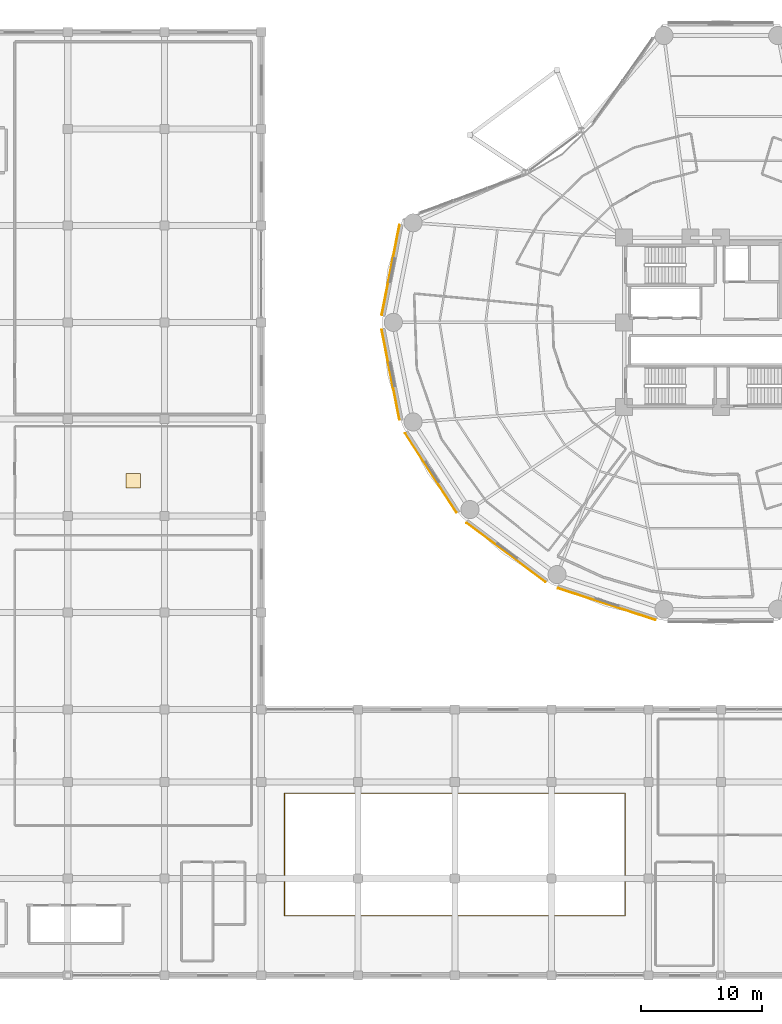
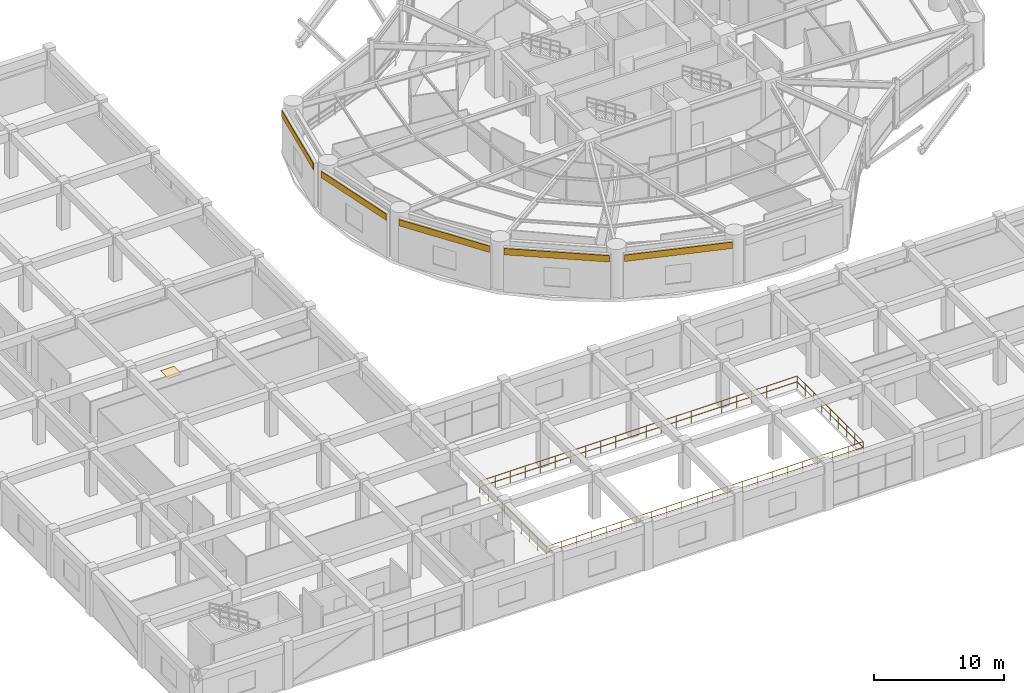
# One storey, part 49 of 55: 6 coverings, 1 railing.
"""IFC4 building model written with IfcOpenShell, lengths in metres."""

from ifc_helpers import new_model, si_unit, direction, frame, origin, origin_2d, place, context, subcontext, project, spatial, polyline, rectangle, outline, extrude, source, transform, mapped, material, layer, layer_set, type_object, element, save


model = new_model("IFC4")

# Units and contexts
model_context = context("Model", 3, precision=1e-05, world=origin(), true_north=direction((0.0, 1.0)))
body_context = subcontext(model_context, "Body", "Model", "MODEL_VIEW")
ifc_project = project(units=[si_unit("LENGTHUNIT", "METRE"), si_unit("AREAUNIT", "SQUARE_METRE"), si_unit("VOLUMEUNIT", "CUBIC_METRE"), si_unit("PLANEANGLEUNIT", "RADIAN"), si_unit("MASSUNIT", "GRAM", prefix="KILO")], contexts=[model_context])

# Site, building, storey
site_placement = place(None, origin())
site = spatial("IfcSite", under=ifc_project, at=site_placement, CompositionType="ELEMENT")
building_placement = place(site_placement, origin())
building = spatial("IfcBuilding", under=site, at=building_placement, Name="Kelanora Arch Commons", CompositionType="ELEMENT")
storey_placement = place(building_placement, frame((0.0, 0.0, 4.5)))
storey = spatial("IfcBuildingStorey", under=building, at=storey_placement, Name="L01", CompositionType="ELEMENT", Elevation=4.5)

# Railing
ifc_material_1 = material(Name="Laminated glass and stainless steel balustrade", Category="steel")
railing_type = type_object("IfcRailingType", Name="RAIL-BAL-112", PredefinedType="BALUSTRADE", material=ifc_material_1)
railing_placement = place(storey_placement, frame((37.919921875, 8.919921875, 0.0)))
element("IfcRailing", 1, at=railing_placement, inside=storey, type_object=railing_type, Name="Market Hall L01 Atrium Void Guard", PredefinedType="BALUSTRADE", context=body_context, shape_type="SweptSolid", body=[
    extrude(outline(polyline([(0.02392578125, 0.0), (0.011962890625, 0.020751953125), (-0.011962890625, 0.020751953125), (-0.02392578125, 0.0), (-0.011962890625, -0.020751953125), (0.011962890625, -0.020751953125), (0.02392578125, 0.0)])), frame((0.0, 0.0, 1.09619140625), z_axis=(1.0, 0.0, 0.0), x_axis=(0.0, 1.0, 0.0)), (0.0, 0.0, 1.0), 28.16015625),
    extrude(outline(polyline([(0.02392578125, 0.0), (0.011962890625, 0.020751953125), (-0.011962890625, 0.020751953125), (-0.02392578125, 0.0), (-0.011962890625, -0.020751953125), (0.011962890625, -0.020751953125), (0.02392578125, 0.0)])), frame((0.0, 0.0, 0.56005859375), z_axis=(1.0, 0.0, 0.0), x_axis=(0.0, 1.0, 0.0)), (0.0, 0.0, 1.0), 28.16015625),
    extrude(outline(polyline([(0.02392578125, 0.0), (0.011962890625, 0.020751953125), (-0.011962890625, 0.020751953125), (-0.02392578125, 0.0), (-0.011962890625, -0.020751953125), (0.011962890625, -0.020751953125), (0.02392578125, 0.0)])), frame((28.16015625, 0.0, 1.09619140625), z_axis=(0.0, 1.0, 0.0), x_axis=(-1.0, 0.0, 0.0)), (0.0, 0.0, 1.0), 10.16015625),
    extrude(outline(polyline([(0.02392578125, 0.0), (0.011962890625, 0.020751953125), (-0.011962890625, 0.020751953125), (-0.02392578125, 0.0), (-0.011962890625, -0.020751953125), (0.011962890625, -0.020751953125), (0.02392578125, 0.0)])), frame((28.16015625, 0.0, 0.56005859375), z_axis=(0.0, 1.0, 0.0), x_axis=(-1.0, 0.0, 0.0)), (0.0, 0.0, 1.0), 10.16015625),
    extrude(outline(polyline([(0.02392578125, 0.0), (0.011962890625, 0.020751953125), (-0.011962890625, 0.020751953125), (-0.02392578125, 0.0), (-0.011962890625, -0.020751953125), (0.011962890625, -0.020751953125), (0.02392578125, 0.0)])), frame((28.16015625, 10.16015625, 1.09619140625), z_axis=(-1.0, 0.0, 0.0), x_axis=(0.0, -1.0, 0.0)), (0.0, 0.0, 1.0), 28.16015625),
    extrude(outline(polyline([(0.02392578125, 0.0), (0.011962890625, 0.020751953125), (-0.011962890625, 0.020751953125), (-0.02392578125, 0.0), (-0.011962890625, -0.020751953125), (0.011962890625, -0.020751953125), (0.02392578125, 0.0)])), frame((28.16015625, 10.16015625, 0.56005859375), z_axis=(-1.0, 0.0, 0.0), x_axis=(0.0, -1.0, 0.0)), (0.0, 0.0, 1.0), 28.16015625),
    extrude(outline(polyline([(0.02392578125, 0.0), (0.011962890625, 0.020751953125), (-0.011962890625, 0.020751953125), (-0.02392578125, 0.0), (-0.011962890625, -0.020751953125), (0.011962890625, -0.020751953125), (0.02392578125, 0.0)])), frame((0.0, 10.16015625, 1.09619140625), z_axis=(0.0, -1.0, 0.0), x_axis=(1.0, 0.0, 0.0)), (0.0, 0.0, 1.0), 10.16015625),
    extrude(outline(polyline([(0.02392578125, 0.0), (0.011962890625, 0.020751953125), (-0.011962890625, 0.020751953125), (-0.02392578125, 0.0), (-0.011962890625, -0.020751953125), (0.011962890625, -0.020751953125), (0.02392578125, 0.0)])), frame((0.0, 10.16015625, 0.56005859375), z_axis=(0.0, -1.0, 0.0), x_axis=(1.0, 0.0, 0.0)), (0.0, 0.0, 1.0), 10.16015625),
    extrude(outline(polyline([(0.02099609375, 0.0), (0.010498046875, 0.01806640625), (-0.010498046875, 0.01806640625), (-0.02099609375, 0.0), (-0.010498046875, -0.01806640625), (0.010498046875, -0.01806640625), (0.02099609375, 0.0)])), origin(), (0.0, 0.0, 1.0), 1.072021484375),
    extrude(outline(polyline([(0.02099609375, 0.0), (0.010498046875, 0.01806640625), (-0.010498046875, 0.01806640625), (-0.02099609375, 0.0), (-0.010498046875, -0.01806640625), (0.010498046875, -0.01806640625), (0.02099609375, 0.0)])), frame((1.341064453125, 0.0, 0.0)), (0.0, 0.0, 1.0), 1.072021484375),
    extrude(outline(polyline([(0.02099609375, 0.0), (0.010498046875, 0.01806640625), (-0.010498046875, 0.01806640625), (-0.02099609375, 0.0), (-0.010498046875, -0.01806640625), (0.010498046875, -0.01806640625), (0.02099609375, 0.0)])), frame((2.681884765625, 0.0, 0.0)), (0.0, 0.0, 1.0), 1.072021484375),
    extrude(outline(polyline([(0.02099609375, 0.0), (0.010498046875, 0.01806640625), (-0.010498046875, 0.01806640625), (-0.02099609375, 0.0), (-0.010498046875, -0.01806640625), (0.010498046875, -0.01806640625), (0.02099609375, 0.0)])), frame((4.02294921875, 0.0, 0.0)), (0.0, 0.0, 1.0), 1.072021484375),
    extrude(outline(polyline([(0.02099609375, 0.0), (0.010498046875, 0.01806640625), (-0.010498046875, 0.01806640625), (-0.02099609375, 0.0), (-0.010498046875, -0.01806640625), (0.010498046875, -0.01806640625), (0.02099609375, 0.0)])), frame((5.36376953125, 0.0, 0.0)), (0.0, 0.0, 1.0), 1.072021484375),
    extrude(outline(polyline([(0.02099609375, 0.0), (0.010498046875, 0.01806640625), (-0.010498046875, 0.01806640625), (-0.02099609375, 0.0), (-0.010498046875, -0.01806640625), (0.010498046875, -0.01806640625), (0.02099609375, 0.0)])), frame((6.704833984375, 0.0, 0.0)), (0.0, 0.0, 1.0), 1.072021484375),
    extrude(outline(polyline([(0.02099609375, 0.0), (0.010498046875, 0.01806640625), (-0.010498046875, 0.01806640625), (-0.02099609375, 0.0), (-0.010498046875, -0.01806640625), (0.010498046875, -0.01806640625), (0.02099609375, 0.0)])), frame((8.045654296875, 0.0, 0.0)), (0.0, 0.0, 1.0), 1.072021484375),
    extrude(outline(polyline([(0.02099609375, 0.0), (0.010498046875, 0.01806640625), (-0.010498046875, 0.01806640625), (-0.02099609375, 0.0), (-0.010498046875, -0.01806640625), (0.010498046875, -0.01806640625), (0.02099609375, 0.0)])), frame((9.38671875, 0.0, 0.0)), (0.0, 0.0, 1.0), 1.072021484375),
    extrude(outline(polyline([(0.02099609375, 0.0), (0.010498046875, 0.01806640625), (-0.010498046875, 0.01806640625), (-0.02099609375, 0.0), (-0.010498046875, -0.01806640625), (0.010498046875, -0.01806640625), (0.02099609375, 0.0)])), frame((10.727783203125, 0.0, 0.0)), (0.0, 0.0, 1.0), 1.072021484375),
    extrude(outline(polyline([(0.02099609375, 0.0), (0.010498046875, 0.01806640625), (-0.010498046875, 0.01806640625), (-0.02099609375, 0.0), (-0.010498046875, -0.01806640625), (0.010498046875, -0.01806640625), (0.02099609375, 0.0)])), frame((12.068603515625, 0.0, 0.0)), (0.0, 0.0, 1.0), 1.072021484375),
    extrude(outline(polyline([(0.02099609375, 0.0), (0.010498046875, 0.01806640625), (-0.010498046875, 0.01806640625), (-0.02099609375, 0.0), (-0.010498046875, -0.01806640625), (0.010498046875, -0.01806640625), (0.02099609375, 0.0)])), frame((13.40966796875, 0.0, 0.0)), (0.0, 0.0, 1.0), 1.072021484375),
    extrude(outline(polyline([(0.02099609375, 0.0), (0.010498046875, 0.01806640625), (-0.010498046875, 0.01806640625), (-0.02099609375, 0.0), (-0.010498046875, -0.01806640625), (0.010498046875, -0.01806640625), (0.02099609375, 0.0)])), frame((14.75048828125, 0.0, 0.0)), (0.0, 0.0, 1.0), 1.072021484375),
    extrude(outline(polyline([(0.02099609375, 0.0), (0.010498046875, 0.01806640625), (-0.010498046875, 0.01806640625), (-0.02099609375, 0.0), (-0.010498046875, -0.01806640625), (0.010498046875, -0.01806640625), (0.02099609375, 0.0)])), frame((16.091552734375, 0.0, 0.0)), (0.0, 0.0, 1.0), 1.072021484375),
    extrude(outline(polyline([(0.02099609375, 0.0), (0.010498046875, 0.01806640625), (-0.010498046875, 0.01806640625), (-0.02099609375, 0.0), (-0.010498046875, -0.01806640625), (0.010498046875, -0.01806640625), (0.02099609375, 0.0)])), frame((17.432373046875, 0.0, 0.0)), (0.0, 0.0, 1.0), 1.072021484375),
    extrude(outline(polyline([(0.02099609375, 0.0), (0.010498046875, 0.01806640625), (-0.010498046875, 0.01806640625), (-0.02099609375, 0.0), (-0.010498046875, -0.01806640625), (0.010498046875, -0.01806640625), (0.02099609375, 0.0)])), frame((18.7734375, 0.0, 0.0)), (0.0, 0.0, 1.0), 1.072021484375),
    extrude(outline(polyline([(0.02099609375, 0.0), (0.010498046875, 0.01806640625), (-0.010498046875, 0.01806640625), (-0.02099609375, 0.0), (-0.010498046875, -0.01806640625), (0.010498046875, -0.01806640625), (0.02099609375, 0.0)])), frame((20.114501953125, 0.0, 0.0)), (0.0, 0.0, 1.0), 1.072021484375),
    extrude(outline(polyline([(0.02099609375, 0.0), (0.010498046875, 0.01806640625), (-0.010498046875, 0.01806640625), (-0.02099609375, 0.0), (-0.010498046875, -0.01806640625), (0.010498046875, -0.01806640625), (0.02099609375, 0.0)])), frame((21.455322265625, 0.0, 0.0)), (0.0, 0.0, 1.0), 1.072021484375),
    extrude(outline(polyline([(0.02099609375, 0.0), (0.010498046875, 0.01806640625), (-0.010498046875, 0.01806640625), (-0.02099609375, 0.0), (-0.010498046875, -0.01806640625), (0.010498046875, -0.01806640625), (0.02099609375, 0.0)])), frame((22.79638671875, 0.0, 0.0)), (0.0, 0.0, 1.0), 1.072021484375),
    extrude(outline(polyline([(0.02099609375, 0.0), (0.010498046875, 0.01806640625), (-0.010498046875, 0.01806640625), (-0.02099609375, 0.0), (-0.010498046875, -0.01806640625), (0.010498046875, -0.01806640625), (0.02099609375, 0.0)])), frame((24.13720703125, 0.0, 0.0)), (0.0, 0.0, 1.0), 1.072021484375),
    extrude(outline(polyline([(0.02099609375, 0.0), (0.010498046875, 0.01806640625), (-0.010498046875, 0.01806640625), (-0.02099609375, 0.0), (-0.010498046875, -0.01806640625), (0.010498046875, -0.01806640625), (0.02099609375, 0.0)])), frame((25.478271484375, 0.0, 0.0)), (0.0, 0.0, 1.0), 1.072021484375),
    extrude(outline(polyline([(0.02099609375, 0.0), (0.010498046875, 0.01806640625), (-0.010498046875, 0.01806640625), (-0.02099609375, 0.0), (-0.010498046875, -0.01806640625), (0.010498046875, -0.01806640625), (0.02099609375, 0.0)])), frame((26.819091796875, 0.0, 0.0)), (0.0, 0.0, 1.0), 1.072021484375),
    extrude(outline(polyline([(0.02099609375, 0.0), (0.010498046875, 0.01806640625), (-0.010498046875, 0.01806640625), (-0.02099609375, 0.0), (-0.010498046875, -0.01806640625), (0.010498046875, -0.01806640625), (0.02099609375, 0.0)])), frame((28.16015625, 0.0, 0.0)), (0.0, 0.0, 1.0), 1.072021484375),
    extrude(outline(polyline([(0.02099609375, 0.0), (0.010498046875, 0.01806640625), (-0.010498046875, 0.01806640625), (-0.02099609375, 0.0), (-0.010498046875, -0.01806640625), (0.010498046875, -0.01806640625), (0.02099609375, 0.0)])), frame((28.16015625, 1.27001953125, 0.0)), (0.0, 0.0, 1.0), 1.072021484375),
    extrude(outline(polyline([(0.02099609375, 0.0), (0.010498046875, 0.01806640625), (-0.010498046875, 0.01806640625), (-0.02099609375, 0.0), (-0.010498046875, -0.01806640625), (0.010498046875, -0.01806640625), (0.02099609375, 0.0)])), frame((28.16015625, 2.5400390625, 0.0)), (0.0, 0.0, 1.0), 1.072021484375),
    extrude(outline(polyline([(0.02099609375, 0.0), (0.010498046875, 0.01806640625), (-0.010498046875, 0.01806640625), (-0.02099609375, 0.0), (-0.010498046875, -0.01806640625), (0.010498046875, -0.01806640625), (0.02099609375, 0.0)])), frame((28.16015625, 3.81005859375, 0.0)), (0.0, 0.0, 1.0), 1.072021484375),
    extrude(outline(polyline([(0.02099609375, 0.0), (0.010498046875, 0.01806640625), (-0.010498046875, 0.01806640625), (-0.02099609375, 0.0), (-0.010498046875, -0.01806640625), (0.010498046875, -0.01806640625), (0.02099609375, 0.0)])), frame((28.16015625, 5.080078125, 0.0)), (0.0, 0.0, 1.0), 1.072021484375),
    extrude(outline(polyline([(0.02099609375, 0.0), (0.010498046875, 0.01806640625), (-0.010498046875, 0.01806640625), (-0.02099609375, 0.0), (-0.010498046875, -0.01806640625), (0.010498046875, -0.01806640625), (0.02099609375, 0.0)])), frame((28.16015625, 6.35009765625, 0.0)), (0.0, 0.0, 1.0), 1.072021484375),
    extrude(outline(polyline([(0.02099609375, 0.0), (0.010498046875, 0.01806640625), (-0.010498046875, 0.01806640625), (-0.02099609375, 0.0), (-0.010498046875, -0.01806640625), (0.010498046875, -0.01806640625), (0.02099609375, 0.0)])), frame((28.16015625, 7.6201171875, 0.0)), (0.0, 0.0, 1.0), 1.072021484375),
    extrude(outline(polyline([(0.02099609375, 0.0), (0.010498046875, 0.01806640625), (-0.010498046875, 0.01806640625), (-0.02099609375, 0.0), (-0.010498046875, -0.01806640625), (0.010498046875, -0.01806640625), (0.02099609375, 0.0)])), frame((28.16015625, 8.89013671875, 0.0)), (0.0, 0.0, 1.0), 1.072021484375),
    extrude(outline(polyline([(0.02099609375, 0.0), (0.010498046875, 0.01806640625), (-0.010498046875, 0.01806640625), (-0.02099609375, 0.0), (-0.010498046875, -0.01806640625), (0.010498046875, -0.01806640625), (0.02099609375, 0.0)])), frame((28.16015625, 10.16015625, 0.0)), (0.0, 0.0, 1.0), 1.072021484375),
    extrude(outline(polyline([(0.02099609375, 0.0), (0.010498046875, 0.01806640625), (-0.010498046875, 0.01806640625), (-0.02099609375, 0.0), (-0.010498046875, -0.01806640625), (0.010498046875, -0.01806640625), (0.02099609375, 0.0)])), frame((26.819091796875, 10.16015625, 0.0)), (0.0, 0.0, 1.0), 1.072021484375),
    extrude(outline(polyline([(0.02099609375, 0.0), (0.010498046875, 0.01806640625), (-0.010498046875, 0.01806640625), (-0.02099609375, 0.0), (-0.010498046875, -0.01806640625), (0.010498046875, -0.01806640625), (0.02099609375, 0.0)])), frame((25.478271484375, 10.16015625, 0.0)), (0.0, 0.0, 1.0), 1.072021484375),
    extrude(outline(polyline([(0.02099609375, 0.0), (0.010498046875, 0.01806640625), (-0.010498046875, 0.01806640625), (-0.02099609375, 0.0), (-0.010498046875, -0.01806640625), (0.010498046875, -0.01806640625), (0.02099609375, 0.0)])), frame((24.13720703125, 10.16015625, 0.0)), (0.0, 0.0, 1.0), 1.072021484375),
    extrude(outline(polyline([(0.02099609375, 0.0), (0.010498046875, 0.01806640625), (-0.010498046875, 0.01806640625), (-0.02099609375, 0.0), (-0.010498046875, -0.01806640625), (0.010498046875, -0.01806640625), (0.02099609375, 0.0)])), frame((22.79638671875, 10.16015625, 0.0)), (0.0, 0.0, 1.0), 1.072021484375),
    extrude(outline(polyline([(0.02099609375, 0.0), (0.010498046875, 0.01806640625), (-0.010498046875, 0.01806640625), (-0.02099609375, 0.0), (-0.010498046875, -0.01806640625), (0.010498046875, -0.01806640625), (0.02099609375, 0.0)])), frame((21.455322265625, 10.16015625, 0.0)), (0.0, 0.0, 1.0), 1.072021484375),
    extrude(outline(polyline([(0.02099609375, 0.0), (0.010498046875, 0.01806640625), (-0.010498046875, 0.01806640625), (-0.02099609375, 0.0), (-0.010498046875, -0.01806640625), (0.010498046875, -0.01806640625), (0.02099609375, 0.0)])), frame((20.114501953125, 10.16015625, 0.0)), (0.0, 0.0, 1.0), 1.072021484375),
    extrude(outline(polyline([(0.02099609375, 0.0), (0.010498046875, 0.01806640625), (-0.010498046875, 0.01806640625), (-0.02099609375, 0.0), (-0.010498046875, -0.01806640625), (0.010498046875, -0.01806640625), (0.02099609375, 0.0)])), frame((18.7734375, 10.16015625, 0.0)), (0.0, 0.0, 1.0), 1.072021484375),
    extrude(outline(polyline([(0.02099609375, 0.0), (0.010498046875, 0.01806640625), (-0.010498046875, 0.01806640625), (-0.02099609375, 0.0), (-0.010498046875, -0.01806640625), (0.010498046875, -0.01806640625), (0.02099609375, 0.0)])), frame((17.432373046875, 10.16015625, 0.0)), (0.0, 0.0, 1.0), 1.072021484375),
    extrude(outline(polyline([(0.02099609375, 0.0), (0.010498046875, 0.01806640625), (-0.010498046875, 0.01806640625), (-0.02099609375, 0.0), (-0.010498046875, -0.01806640625), (0.010498046875, -0.01806640625), (0.02099609375, 0.0)])), frame((16.091552734375, 10.16015625, 0.0)), (0.0, 0.0, 1.0), 1.072021484375),
    extrude(outline(polyline([(0.02099609375, 0.0), (0.010498046875, 0.01806640625), (-0.010498046875, 0.01806640625), (-0.02099609375, 0.0), (-0.010498046875, -0.01806640625), (0.010498046875, -0.01806640625), (0.02099609375, 0.0)])), frame((14.75048828125, 10.16015625, 0.0)), (0.0, 0.0, 1.0), 1.072021484375),
    extrude(outline(polyline([(0.02099609375, 0.0), (0.010498046875, 0.01806640625), (-0.010498046875, 0.01806640625), (-0.02099609375, 0.0), (-0.010498046875, -0.01806640625), (0.010498046875, -0.01806640625), (0.02099609375, 0.0)])), frame((13.40966796875, 10.16015625, 0.0)), (0.0, 0.0, 1.0), 1.072021484375),
    extrude(outline(polyline([(0.02099609375, 0.0), (0.010498046875, 0.01806640625), (-0.010498046875, 0.01806640625), (-0.02099609375, 0.0), (-0.010498046875, -0.01806640625), (0.010498046875, -0.01806640625), (0.02099609375, 0.0)])), frame((12.068603515625, 10.16015625, 0.0)), (0.0, 0.0, 1.0), 1.072021484375),
    extrude(outline(polyline([(0.02099609375, 0.0), (0.010498046875, 0.01806640625), (-0.010498046875, 0.01806640625), (-0.02099609375, 0.0), (-0.010498046875, -0.01806640625), (0.010498046875, -0.01806640625), (0.02099609375, 0.0)])), frame((10.727783203125, 10.16015625, 0.0)), (0.0, 0.0, 1.0), 1.072021484375),
    extrude(outline(polyline([(0.02099609375, 0.0), (0.010498046875, 0.01806640625), (-0.010498046875, 0.01806640625), (-0.02099609375, 0.0), (-0.010498046875, -0.01806640625), (0.010498046875, -0.01806640625), (0.02099609375, 0.0)])), frame((9.38671875, 10.16015625, 0.0)), (0.0, 0.0, 1.0), 1.072021484375),
    extrude(outline(polyline([(0.02099609375, 0.0), (0.010498046875, 0.01806640625), (-0.010498046875, 0.01806640625), (-0.02099609375, 0.0), (-0.010498046875, -0.01806640625), (0.010498046875, -0.01806640625), (0.02099609375, 0.0)])), frame((8.045654296875, 10.16015625, 0.0)), (0.0, 0.0, 1.0), 1.072021484375),
    extrude(outline(polyline([(0.02099609375, 0.0), (0.010498046875, 0.01806640625), (-0.010498046875, 0.01806640625), (-0.02099609375, 0.0), (-0.010498046875, -0.01806640625), (0.010498046875, -0.01806640625), (0.02099609375, 0.0)])), frame((6.704833984375, 10.16015625, 0.0)), (0.0, 0.0, 1.0), 1.072021484375),
    extrude(outline(polyline([(0.02099609375, 0.0), (0.010498046875, 0.01806640625), (-0.010498046875, 0.01806640625), (-0.02099609375, 0.0), (-0.010498046875, -0.01806640625), (0.010498046875, -0.01806640625), (0.02099609375, 0.0)])), frame((5.36376953125, 10.16015625, 0.0)), (0.0, 0.0, 1.0), 1.072021484375),
    extrude(outline(polyline([(0.02099609375, 0.0), (0.010498046875, 0.01806640625), (-0.010498046875, 0.01806640625), (-0.02099609375, 0.0), (-0.010498046875, -0.01806640625), (0.010498046875, -0.01806640625), (0.02099609375, 0.0)])), frame((4.02294921875, 10.16015625, 0.0)), (0.0, 0.0, 1.0), 1.072021484375),
    extrude(outline(polyline([(0.02099609375, 0.0), (0.010498046875, 0.01806640625), (-0.010498046875, 0.01806640625), (-0.02099609375, 0.0), (-0.010498046875, -0.01806640625), (0.010498046875, -0.01806640625), (0.02099609375, 0.0)])), frame((2.681884765625, 10.16015625, 0.0)), (0.0, 0.0, 1.0), 1.072021484375),
    extrude(outline(polyline([(0.02099609375, 0.0), (0.010498046875, 0.01806640625), (-0.010498046875, 0.01806640625), (-0.02099609375, 0.0), (-0.010498046875, -0.01806640625), (0.010498046875, -0.01806640625), (0.02099609375, 0.0)])), frame((1.341064453125, 10.16015625, 0.0)), (0.0, 0.0, 1.0), 1.072021484375),
    extrude(outline(polyline([(0.02099609375, 0.0), (0.010498046875, 0.01806640625), (-0.010498046875, 0.01806640625), (-0.02099609375, 0.0), (-0.010498046875, -0.01806640625), (0.010498046875, -0.01806640625), (0.02099609375, 0.0)])), frame((0.0, 10.16015625, 0.0)), (0.0, 0.0, 1.0), 1.072021484375),
    extrude(outline(polyline([(0.02099609375, 0.0), (0.010498046875, 0.01806640625), (-0.010498046875, 0.01806640625), (-0.02099609375, 0.0), (-0.010498046875, -0.01806640625), (0.010498046875, -0.01806640625), (0.02099609375, 0.0)])), frame((0.0, 8.89013671875, 0.0)), (0.0, 0.0, 1.0), 1.072021484375),
    extrude(outline(polyline([(0.02099609375, 0.0), (0.010498046875, 0.01806640625), (-0.010498046875, 0.01806640625), (-0.02099609375, 0.0), (-0.010498046875, -0.01806640625), (0.010498046875, -0.01806640625), (0.02099609375, 0.0)])), frame((0.0, 7.6201171875, 0.0)), (0.0, 0.0, 1.0), 1.072021484375),
    extrude(outline(polyline([(0.02099609375, 0.0), (0.010498046875, 0.01806640625), (-0.010498046875, 0.01806640625), (-0.02099609375, 0.0), (-0.010498046875, -0.01806640625), (0.010498046875, -0.01806640625), (0.02099609375, 0.0)])), frame((0.0, 6.35009765625, 0.0)), (0.0, 0.0, 1.0), 1.072021484375),
    extrude(outline(polyline([(0.02099609375, 0.0), (0.010498046875, 0.01806640625), (-0.010498046875, 0.01806640625), (-0.02099609375, 0.0), (-0.010498046875, -0.01806640625), (0.010498046875, -0.01806640625), (0.02099609375, 0.0)])), frame((0.0, 5.080078125, 0.0)), (0.0, 0.0, 1.0), 1.072021484375),
    extrude(outline(polyline([(0.02099609375, 0.0), (0.010498046875, 0.01806640625), (-0.010498046875, 0.01806640625), (-0.02099609375, 0.0), (-0.010498046875, -0.01806640625), (0.010498046875, -0.01806640625), (0.02099609375, 0.0)])), frame((0.0, 3.81005859375, 0.0)), (0.0, 0.0, 1.0), 1.072021484375),
    extrude(outline(polyline([(0.02099609375, 0.0), (0.010498046875, 0.01806640625), (-0.010498046875, 0.01806640625), (-0.02099609375, 0.0), (-0.010498046875, -0.01806640625), (0.010498046875, -0.01806640625), (0.02099609375, 0.0)])), frame((0.0, 2.5400390625, 0.0)), (0.0, 0.0, 1.0), 1.072021484375),
    extrude(outline(polyline([(0.02099609375, 0.0), (0.010498046875, 0.01806640625), (-0.010498046875, 0.01806640625), (-0.02099609375, 0.0), (-0.010498046875, -0.01806640625), (0.010498046875, -0.01806640625), (0.02099609375, 0.0)])), frame((0.0, 1.27001953125, 0.0)), (0.0, 0.0, 1.0), 1.072021484375),
])

# Coverings
ifc_material_2 = material(Name="Glazed architectural terracotta spandrel cladding", Category="masonry")
ifc_layer_1 = layer(ifc_material_2, 0.06005859375)
ifc_layer_set_1 = layer_set([ifc_layer_1], Name="Glazed architectural terracotta spandrel cladding")
covering_type_1 = type_object("IfcCoveringType", Name="COV-CLAD-TC", PredefinedType="CLADDING", material=ifc_layer_set_1)
shared_shape_1 = source(origin(), body_context, "Body", "SweptSolid", [
    extrude(rectangle(XDim=7.58251953125, YDim=0.06005859375, at=origin_2d()), origin(), (0.0, 0.0, 1.0), 0.60009765625),
])
for number, where, z_axis, x_axis, name in (
    (2, (46.694580078125, 62.33251953125, 3.534912109375), (0.0, 0.0, 1.0), (-0.19374368704, -0.981052181962, 0.0), "Terracotta Spandrel Cladding L01-B08"),
    (3, (46.694580078125, 53.66748046875, 3.534912109375), (0.0, 0.0, 1.0), (0.19374368704, -0.981052181962, 0.0), "Terracotta Spandrel Cladding L01-B09"),
):
    element("IfcCovering", number, at=place(storey_placement, frame(where, z_axis=z_axis, x_axis=x_axis)), inside=storey, type_object=covering_type_1, Name=name, PredefinedType="CLADDING", context=body_context, shape_type="MappedRepresentation", body=[
        mapped(shared_shape_1, transform((0.0, 0.0, 0.0), scale=1.0)),
    ])
shared_shape_2 = source(origin(), body_context, "Body", "SweptSolid", [
    extrude(rectangle(XDim=7.817626953125, YDim=0.06005859375, at=origin_2d()), origin(), (0.0, 0.0, 1.0), 0.60009765625),
])
covering_1_placement = place(storey_placement, frame((50.023193359375, 45.54833984375, 3.534912109375), z_axis=(0.0, 0.0, 1.0), x_axis=(0.543005222291, -0.839729318629, 0.0)))
element("IfcCovering", 4, at=covering_1_placement, inside=storey, type_object=covering_type_1, Name="Terracotta Spandrel Cladding L01-B10", PredefinedType="CLADDING", context=body_context, shape_type="MappedRepresentation", body=[
    mapped(shared_shape_2, transform((0.0, 0.0, 0.0), scale=1.0)),
])
shared_shape_3 = source(origin(), body_context, "Body", "SweptSolid", [
    extrude(rectangle(XDim=8.17041015625, YDim=0.06005859375, at=origin_2d()), origin(), (0.0, 0.0, 1.0), 0.60009765625),
])
covering_2_placement = place(storey_placement, frame((56.239013671875, 38.9697265625, 3.534912109375), z_axis=(0.0, 0.0, 1.0), x_axis=(0.800309643984, -0.599586919259, 0.0)))
element("IfcCovering", 5, at=covering_2_placement, inside=storey, type_object=covering_type_1, Name="Terracotta Spandrel Cladding L01-B11", PredefinedType="CLADDING", context=body_context, shape_type="MappedRepresentation", body=[
    mapped(shared_shape_3, transform((0.0, 0.0, 0.0), scale=1.0)),
])
shared_shape_4 = source(origin(), body_context, "Body", "SweptSolid", [
    extrude(rectangle(XDim=8.4736328125, YDim=0.06005859375, at=origin_2d()), origin(), (0.0, 0.0, 1.0), 0.60009765625),
])
covering_3_placement = place(storey_placement, frame((64.56396484375, 34.7001953125, 3.534912109375), z_axis=(0.0, 0.0, 1.0), x_axis=(0.95104065311, -0.309065811975, 0.0)))
element("IfcCovering", 6, at=covering_3_placement, inside=storey, type_object=covering_type_1, Name="Terracotta Spandrel Cladding L01-B12", PredefinedType="CLADDING", context=body_context, shape_type="MappedRepresentation", body=[
    mapped(shared_shape_4, transform((0.0, 0.0, 0.0), scale=1.0)),
])
ifc_material_3 = material(Name="Polished local granite terrazzo flooring", Category="masonry")
ifc_layer_2 = layer(ifc_material_3, 0.030029296875)
ifc_layer_set_2 = layer_set([ifc_layer_2], Name="Polished local granite terrazzo flooring")
covering_type_2 = type_object("IfcCoveringType", Name="COV-FLR-TER", PredefinedType="FLOORING", material=ifc_layer_set_2)
shared_shape_5 = source(origin(), body_context, "Body", "SweptSolid", [
    extrude(rectangle(XDim=1.199951171875, YDim=1.199951171875, at=origin_2d()), origin(), (0.0, 0.0, 1.0), 0.030029296875),
])
covering_4_placement = place(storey_placement, frame((25.409912109375, 44.89990234375, 0.0), z_axis=(0.0, 0.0, 1.0), x_axis=(1.0, 0.0, 0.0)))
element("IfcCovering", 7, at=covering_4_placement, inside=storey, type_object=covering_type_2, Name="Mezzanine Dining Overlook Gallery Terrazzo Finish", PredefinedType="FLOORING", context=body_context, shape_type="MappedRepresentation", body=[
    mapped(shared_shape_5, transform((0.0, 0.0, 0.0), scale=1.0)),
])

save(model, "model.ifc")
